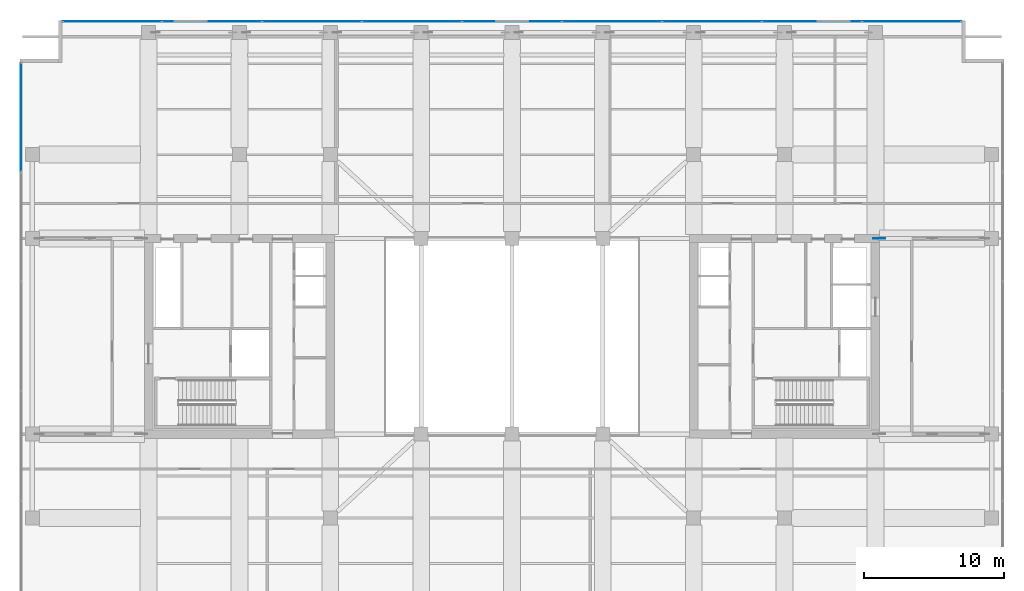
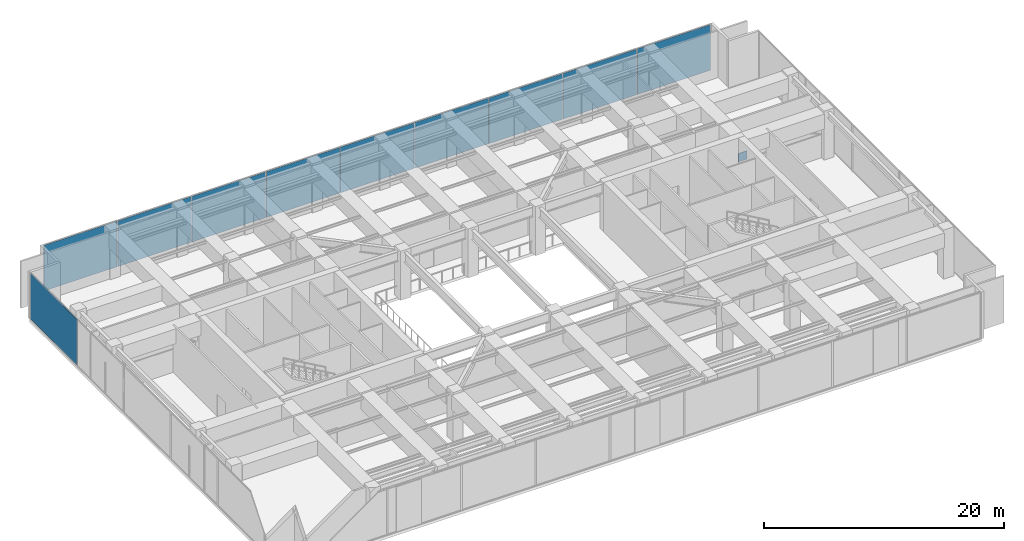
# One storey, part 16 of 28: 11 plates, 2 elements without a shape of their own.
"""IFC4 building model written with IfcOpenShell, lengths in metres."""

import ifcopenshell
import ifcopenshell.guid

model = None  # the IFC model being written
_history = None  # IfcOwnerHistory: only IFC2X3 demands one
_inside = {}  # id of a spatial element -> (the spatial element, [elements in it])
_under = {}  # id of a project, library or spatial element -> (it, [spatial elements below it])
_declared = {}  # id of a project -> (the project, [libraries it declares])
_typed = {}  # id of a type object -> (the type object, [elements of that type])
_made_of = {}  # id of a material, layer set ... -> (it, [elements and type objects made of it])


def new_model(schema):
    """Start an empty IFC model of exactly this schema.

    Asked for "IFC4X3", IfcOpenShell would pick the latest addendum, in which some entities
    have other attributes; the version numbers below select the first issue.
    IFC2X3 requires an IfcOwnerHistory on every rooted entity: one is made here for all.
    """
    global model, _history
    if schema == "IFC4X3":
        model = ifcopenshell.file(schema_version=(4, 3, 0, 0))
    else:
        model = ifcopenshell.file(schema=schema)
    _inside.clear()
    _under.clear()
    _declared.clear()
    _typed.clear()
    _made_of.clear()
    _history = None
    if model.schema == "IFC2X3":
        org = make("IfcOrganization", Name="unknown")
        user = make(
            "IfcPersonAndOrganization",
            ThePerson=make("IfcPerson", FamilyName="unknown"),
            TheOrganization=org,
        )
        app = make(
            "IfcApplication",
            ApplicationDeveloper=org,
            Version="unknown",
            ApplicationFullName="unknown",
            ApplicationIdentifier="unknown",
        )
        _history = make(
            "IfcOwnerHistory",
            OwningUser=user,
            OwningApplication=app,
            ChangeAction="ADDED",
            CreationDate=0,
        )
    return model


def make(cls, **values):
    """One entity of the class cls with the attributes given. An attribute that is None is left unset."""
    return model.create_entity(
        cls, **{name: value for name, value in values.items() if value is not None}
    )


def rooted(cls, **values):
    """An entity with a GlobalId (a new one), such as an element, a storey or a relation."""
    return make(cls, GlobalId=ifcopenshell.guid.new(), OwnerHistory=_history, **values)


def si_unit(unit_type, name, prefix=None):
    """IfcSIUnit, for example si_unit("LENGTHUNIT", "METRE", prefix="MILLI")."""
    return make("IfcSIUnit", UnitType=unit_type, Prefix=prefix, Name=name)


def assignment(units):
    """IfcUnitAssignment: the units of a project."""
    return None if units is None else make("IfcUnitAssignment", Units=units)


def point(xyz):
    """IfcCartesianPoint."""
    return None if xyz is None else make("IfcCartesianPoint", Coordinates=xyz)


def direction(xyz):
    """IfcDirection."""
    return None if xyz is None else make("IfcDirection", DirectionRatios=xyz)


def frame(location, z_axis=None, x_axis=None):
    """IfcAxis2Placement3D, a coordinate frame: its origin and axes. An axis left out is left unset."""
    return make(
        "IfcAxis2Placement3D",
        Location=point(location),
        Axis=direction(z_axis),
        RefDirection=direction(x_axis),
    )


def frame_2d(location, x_axis=None):
    """IfcAxis2Placement2D, a coordinate frame in the plane: its origin and x axis."""
    return make(
        "IfcAxis2Placement2D", Location=point(location), RefDirection=direction(x_axis)
    )


def origin():
    """The frame at (0, 0, 0) with its axes left unset."""
    return frame((0.0, 0.0, 0.0))


def origin_2d():
    """The frame at (0, 0) in the plane with its x axis left unset."""
    return frame_2d((0.0, 0.0))


def place(relative_to, where):
    """IfcLocalPlacement: puts the frame where relative to a parent placement (None: the world)."""
    return make(
        "IfcLocalPlacement", PlacementRelTo=relative_to, RelativePlacement=where
    )


def context(
    kind, dimensions, precision=None, world=None, true_north=None, identifier=None
):
    """IfcGeometricRepresentationContext, for example the 3D "Model" context."""
    return make(
        "IfcGeometricRepresentationContext",
        ContextIdentifier=identifier,
        ContextType=kind,
        CoordinateSpaceDimension=dimensions,
        Precision=precision,
        WorldCoordinateSystem=world,
        TrueNorth=true_north,
    )


def subcontext(parent, identifier, kind, view, scale=None):
    """IfcGeometricRepresentationSubContext, for example "Body" below "Model"."""
    return make(
        "IfcGeometricRepresentationSubContext",
        ContextIdentifier=identifier,
        ContextType=kind,
        ParentContext=parent,
        TargetScale=scale,
        TargetView=view,
    )


def project(units=None, contexts=None):
    """IfcProject with its units and contexts."""
    return rooted(
        "IfcProject",
        Name="project",
        RepresentationContexts=contexts,
        UnitsInContext=assignment(units),
    )


def spatial(cls, under=None, at=None, **own):
    """A site, building, storey or space (cls), placed at a placement, below another one or the project."""
    s = rooted(cls, ObjectPlacement=at, **own)
    if under is not None:
        _under.setdefault(under.id(), (under, []))[1].append(s)
    return s


def profile(cls, at=None, kind="AREA", **sizes):
    """A parametric profile (cls). Its sizes go by their IFC names, for example OverallWidth=200.0."""
    return make(cls, ProfileType=kind, Position=at, **sizes)


def rectangle(**sizes):
    """IfcRectangleProfileDef."""
    return profile("IfcRectangleProfileDef", **sizes)


def extrude(swept, where, along, depth):
    """IfcExtrudedAreaSolid: the profile swept, set in the frame where, extruded along a direction by depth."""
    return make(
        "IfcExtrudedAreaSolid",
        SweptArea=swept,
        Position=where,
        ExtrudedDirection=direction(along),
        Depth=depth,
    )


def shape(context_of_items, identifier, shape_type, items):
    """IfcShapeRepresentation: the items that make up one representation, for example the "Body"."""
    return make(
        "IfcShapeRepresentation",
        ContextOfItems=context_of_items,
        RepresentationIdentifier=identifier,
        RepresentationType=shape_type,
        Items=items,
    )


def material(Name=None, Category=None):
    """IfcMaterial."""
    return make("IfcMaterial", Name=Name, Category=Category)


def layer(
    of_material, thickness, ventilated=None, Name=None, Category=None, Priority=None
):
    """IfcMaterialLayer: one layer of a wall or slab, of a material (None: an air gap)."""
    return make(
        "IfcMaterialLayer",
        Material=of_material,
        LayerThickness=thickness,
        IsVentilated=ventilated,
        Name=Name,
        Category=Category,
        Priority=Priority,
    )


def layer_set(layers, Name=None):
    """IfcMaterialLayerSet."""
    return make("IfcMaterialLayerSet", MaterialLayers=layers, LayerSetName=Name)


def made_of(thing, what):
    """Note that an element or type object is made of a material, layer set ...; save() writes the relation."""
    if what is not None:
        _made_of.setdefault(what.id(), (what, []))[1].append(thing)
    return thing


def type_object(cls, material=None, **own):
    """A type object (cls), such as IfcWallType, which elements share."""
    return made_of(rooted(cls, **own), material)


def element(
    cls,
    number,
    at=None,
    inside=None,
    cuts=None,
    type_object=None,
    material=None,
    context=None,
    identifier="Body",
    shape_type=None,
    held_by="IfcProductDefinitionShape",
    body=None,
    shapes=None,
    **own,
):
    """One element of the class cls, such as IfcWall. Its Tag is "e" and its number.

    at: its placement. inside: the storey or other place that contains it. cuts: it is an
    opening in that element (IfcRelVoidsElement). A single representation is given by context,
    identifier, shape_type and body (its items); several are given by shapes. held_by: the class
    of the entity that holds the representations. save() writes the other relations.
    """
    e = rooted(cls, Tag="e%d" % number, ObjectPlacement=at, **own)
    if body is not None:
        shapes = [shape(context, identifier, shape_type, body)]
    if shapes is not None:
        e.Representation = make(held_by, Representations=shapes)
    if inside is not None:
        _inside.setdefault(inside.id(), (inside, []))[1].append(e)
    if cuts is not None:
        rooted(
            "IfcRelVoidsElement", RelatingBuildingElement=cuts, RelatedOpeningElement=e
        )
    if type_object is not None:
        _typed.setdefault(type_object.id(), (type_object, []))[1].append(e)
    return made_of(e, material)


def aggregate(whole, parts):
    """IfcRelAggregates: a whole, such as a stair, and the parts it consists of."""
    return rooted("IfcRelAggregates", RelatingObject=whole, RelatedObjects=parts)


def save(model, path):
    """Write the relations noted so far, then the file.

    IfcRelAggregates (storeys below a building ...), IfcRelContainedInSpatialStructure (elements
    in a storey), IfcRelDefinesByType, IfcRelAssociatesMaterial and IfcRelDeclares: one each for
    every whole, place, type object, material and project.
    """
    for whole, parts in _under.values():
        aggregate(whole, parts)
    for where, things in _inside.values():
        rooted(
            "IfcRelContainedInSpatialStructure",
            RelatedElements=things,
            RelatingStructure=where,
        )
    for kind, things in _typed.values():
        rooted("IfcRelDefinesByType", RelatedObjects=things, RelatingType=kind)
    for what, things in _made_of.values():
        rooted("IfcRelAssociatesMaterial", RelatedObjects=things, RelatingMaterial=what)
    for by, libraries in _declared.values():
        rooted("IfcRelDeclares", RelatingContext=by, RelatedDefinitions=libraries)
    model.write(path)


model = new_model("IFC4")

# Units and contexts
model_context = context("Model", 3, precision=1e-05, world=origin(), true_north=direction((0.0, 1.0)))
body_context = subcontext(model_context, "Body", "Model", "MODEL_VIEW")
ifc_project = project(units=[si_unit("LENGTHUNIT", "METRE"), si_unit("AREAUNIT", "SQUARE_METRE"), si_unit("VOLUMEUNIT", "CUBIC_METRE"), si_unit("PLANEANGLEUNIT", "RADIAN"), si_unit("MASSUNIT", "GRAM", prefix="KILO")], contexts=[model_context])

# Site, building, storey
site_placement = place(None, origin())
site = spatial("IfcSite", under=ifc_project, at=site_placement, CompositionType="ELEMENT")
building_placement = place(site_placement, origin())
building = spatial("IfcBuilding", under=site, at=building_placement, Name="Putna Gate Headquarters", CompositionType="ELEMENT")
storey_placement = place(building_placement, frame((0.0, 0.0, 197.39990234375)))
storey = spatial("IfcBuildingStorey", under=building, at=storey_placement, Name="L49", CompositionType="ELEMENT", Elevation=197.39990234375)

# Curtain wall, plates
ifc_material_1 = material(Name="Anodised bronze aluminium curtain wall", Category="aluminium")
ifc_layer_1 = layer(ifc_material_1, 0.159912109375)
ifc_layer_set_1 = layer_set([ifc_layer_1], Name="Anodised bronze aluminium curtain wall")
curtain_wall_type = type_object("IfcCurtainWallType", Name="CW-SYS-CRN", PredefinedType="USERDEFINED", material=ifc_layer_set_1)
curtain_wall_1_placement = place(storey_placement, origin())
curtain_wall_1 = element("IfcCurtainWall", 1, at=curtain_wall_1_placement, inside=storey, type_object=curtain_wall_type, Name="L49 Acoustic Louvre North Enclosure", ObjectType="STICK CURTAIN WALL", PredefinedType="USERDEFINED")
ifc_material_2 = material(Name="Anodised bronze acoustic louvre panel", Category="aluminium")
ifc_layer_2 = layer(ifc_material_2, 0.044921875)
ifc_layer_set_2 = layer_set([ifc_layer_2], Name="Anodised bronze acoustic louvre panel")
plate_type_1 = type_object("IfcPlateType", Name="PAN-CWP-CR", PredefinedType="CURTAIN_PANEL", material=ifc_layer_set_2)
plate_1_placement = place(storey_placement, frame((10.39404296875, 48.52001953125, 0.065185546875), z_axis=(0.0, 0.0, 1.0), x_axis=(1.0, 0.0, 0.0)))
plate_1 = element("IfcPlate", 2, at=plate_1_placement, type_object=plate_type_1, Name="CWS-CR panel 1.1", PredefinedType="CURTAIN_PANEL", context=body_context, shape_type="SweptSolid", body=[
    extrude(rectangle(XDim=7.05810546875, YDim=0.044921875, at=origin_2d()), origin(), (0.0, 0.0, 1.0), 4.64990234375),
])
plate_2_placement = place(storey_placement, frame((17.533447265625, 48.52001953125, 0.065185546875), z_axis=(0.0, 0.0, 1.0), x_axis=(1.0, 0.0, 0.0)))
plate_2 = element("IfcPlate", 3, at=plate_2_placement, type_object=plate_type_1, Name="CWS-CR panel 2.1", PredefinedType="CURTAIN_PANEL", context=body_context, shape_type="SweptSolid", body=[
    extrude(rectangle(XDim=7.090576171875, YDim=0.044921875, at=origin_2d()), origin(), (0.0, 0.0, 1.0), 4.64990234375),
])
plate_3_placement = place(storey_placement, frame((24.68896484375, 48.52001953125, 0.065185546875), z_axis=(0.0, 0.0, 1.0), x_axis=(1.0, 0.0, 0.0)))
plate_3 = element("IfcPlate", 4, at=plate_3_placement, type_object=plate_type_1, Name="CWS-CR panel 3.1", PredefinedType="CURTAIN_PANEL", context=body_context, shape_type="SweptSolid", body=[
    extrude(rectangle(XDim=7.090576171875, YDim=0.044921875, at=origin_2d()), origin(), (0.0, 0.0, 1.0), 4.64990234375),
])
plate_4_placement = place(storey_placement, frame((31.844482421875, 48.52001953125, 0.065185546875), z_axis=(0.0, 0.0, 1.0), x_axis=(1.0, 0.0, 0.0)))
plate_4 = element("IfcPlate", 5, at=plate_4_placement, type_object=plate_type_1, Name="CWS-CR panel 4.1", PredefinedType="CURTAIN_PANEL", context=body_context, shape_type="SweptSolid", body=[
    extrude(rectangle(XDim=7.090576171875, YDim=0.044921875, at=origin_2d()), origin(), (0.0, 0.0, 1.0), 4.64990234375),
])
plate_5_placement = place(storey_placement, frame((39.0, 48.52001953125, 0.065185546875), z_axis=(0.0, 0.0, 1.0), x_axis=(1.0, 0.0, 0.0)))
plate_5 = element("IfcPlate", 6, at=plate_5_placement, type_object=plate_type_1, Name="CWS-CR panel 5.1", PredefinedType="CURTAIN_PANEL", context=body_context, shape_type="SweptSolid", body=[
    extrude(rectangle(XDim=7.090576171875, YDim=0.044921875, at=origin_2d()), origin(), (0.0, 0.0, 1.0), 4.64990234375),
])
plate_6_placement = place(storey_placement, frame((46.155517578125, 48.52001953125, 0.065185546875), z_axis=(0.0, 0.0, 1.0), x_axis=(1.0, 0.0, 0.0)))
plate_6 = element("IfcPlate", 7, at=plate_6_placement, type_object=plate_type_1, Name="CWS-CR panel 6.1", PredefinedType="CURTAIN_PANEL", context=body_context, shape_type="SweptSolid", body=[
    extrude(rectangle(XDim=7.090576171875, YDim=0.044921875, at=origin_2d()), origin(), (0.0, 0.0, 1.0), 4.64990234375),
])
plate_7_placement = place(storey_placement, frame((53.31103515625, 48.52001953125, 0.065185546875), z_axis=(0.0, 0.0, 1.0), x_axis=(1.0, 0.0, 0.0)))
plate_7 = element("IfcPlate", 8, at=plate_7_placement, type_object=plate_type_1, Name="CWS-CR panel 7.1", PredefinedType="CURTAIN_PANEL", context=body_context, shape_type="SweptSolid", body=[
    extrude(rectangle(XDim=7.090576171875, YDim=0.044921875, at=origin_2d()), origin(), (0.0, 0.0, 1.0), 4.64990234375),
])
plate_8_placement = place(storey_placement, frame((60.466552734375, 48.52001953125, 0.065185546875), z_axis=(0.0, 0.0, 1.0), x_axis=(1.0, 0.0, 0.0)))
plate_8 = element("IfcPlate", 9, at=plate_8_placement, type_object=plate_type_1, Name="CWS-CR panel 8.1", PredefinedType="CURTAIN_PANEL", context=body_context, shape_type="SweptSolid", body=[
    extrude(rectangle(XDim=7.090576171875, YDim=0.044921875, at=origin_2d()), origin(), (0.0, 0.0, 1.0), 4.64990234375),
])
plate_9_placement = place(storey_placement, frame((67.60595703125, 48.52001953125, 0.065185546875), z_axis=(0.0, 0.0, 1.0), x_axis=(1.0, 0.0, 0.0)))
plate_9 = element("IfcPlate", 10, at=plate_9_placement, type_object=plate_type_1, Name="CWS-CR panel 9.1", PredefinedType="CURTAIN_PANEL", context=body_context, shape_type="SweptSolid", body=[
    extrude(rectangle(XDim=7.05810546875, YDim=0.044921875, at=origin_2d()), origin(), (0.0, 0.0, 1.0), 4.64990234375),
])
aggregate(curtain_wall_1, [plate_1, plate_2, plate_3, plate_4, plate_5, plate_6, plate_7, plate_8, plate_9])

# Curtain wall, plate
curtain_wall_2_placement = place(storey_placement, origin())
curtain_wall_2 = element("IfcCurtainWall", 11, at=curtain_wall_2_placement, inside=storey, type_object=curtain_wall_type, Name="L49 Acoustic Louvre West Enclosure", ObjectType="STICK CURTAIN WALL", PredefinedType="USERDEFINED")
plate_10_placement = place(storey_placement, frame((3.8798828125, 41.663818359375, 0.065185546875), z_axis=(0.0, 0.0, 1.0), x_axis=(0.0, 1.0, 0.0)))
plate_10 = element("IfcPlate", 12, at=plate_10_placement, type_object=plate_type_1, Name="CWS-CR panel 5.1", PredefinedType="CURTAIN_PANEL", context=body_context, shape_type="SweptSolid", body=[
    extrude(rectangle(XDim=7.742431640625, YDim=0.044921875, at=origin_2d()), origin(), (0.0, 0.0, 1.0), 4.64990234375),
])
aggregate(curtain_wall_2, [plate_10])

# Plate
ifc_material_3 = material(Name="Steel S460M", Category="steel")
ifc_layer_3 = layer(ifc_material_3, 0.0400390625)
ifc_layer_set_3 = layer_set([ifc_layer_3], Name="Steel S460M")
plate_type_2 = type_object("IfcPlateType", Name="PLT-NODE-ON1", PredefinedType="SHEET", material=ifc_layer_set_3)
plate_11_placement = place(storey_placement, frame((65.284912109375, 33.0, 2.324951171875), z_axis=(0.0, 0.0, 1.0), x_axis=(1.0, 0.0, 0.0)))
element("IfcPlate", 13, at=plate_11_placement, inside=storey, type_object=plate_type_2, Name="L49 Outrigger Node Plate ON1 EN", PredefinedType="SHEET", context=body_context, shape_type="SweptSolid", body=[
    extrude(rectangle(XDim=0.85009765625, YDim=0.0400390625, at=origin_2d()), origin(), (0.0, 0.0, 1.0), 0.85009765625),
])

save(model, "model.ifc")
